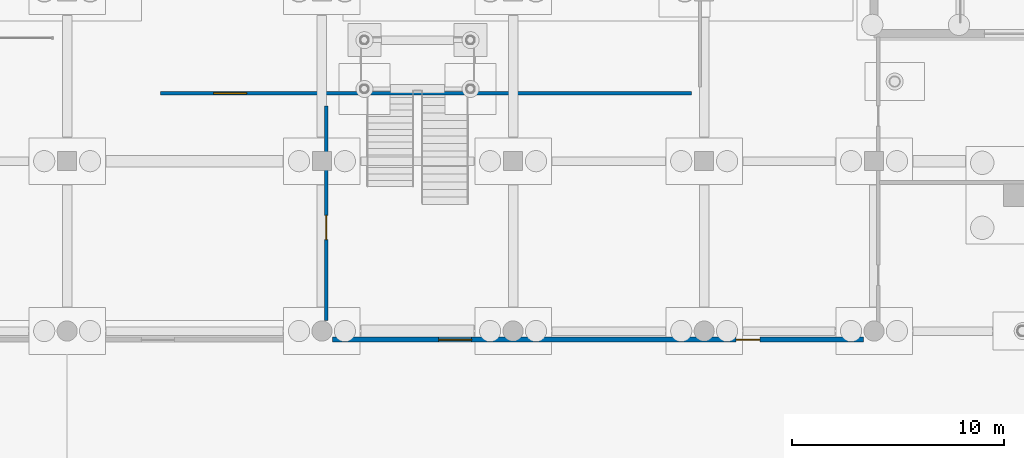
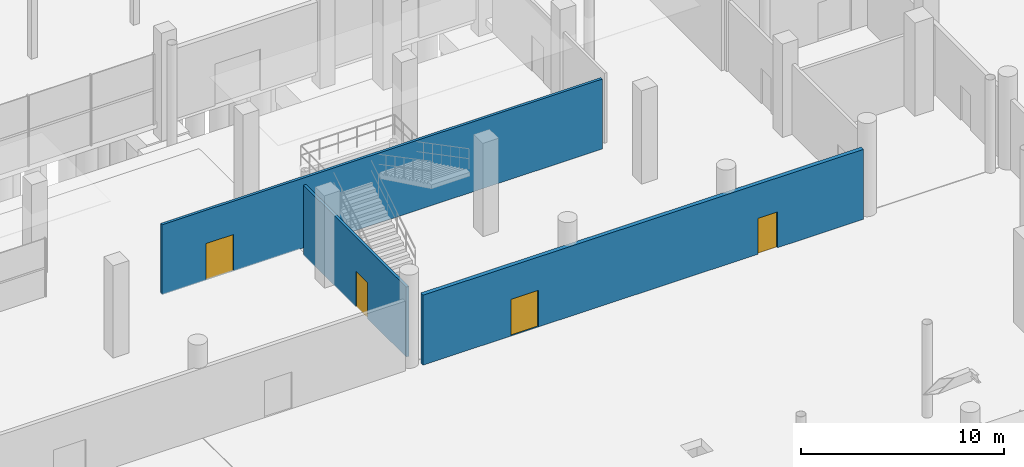
# One storey, part 74 of 98: 4 doors, 3 walls, 4 openings.
"""IFC4 building model written with IfcOpenShell, lengths in metres."""

from ifc_helpers import new_model, si_unit, derived_unit, direction, frame, frame_2d, origin, place, context, subcontext, project, spatial, rectangle, extrude, material, layer, layer_set, type_object, element, fill, save


model = new_model("IFC4")

# Units and contexts
model_context = context("Model", 3, precision=1e-05, world=origin(), true_north=direction((0.0, 1.0)))
body_context = subcontext(model_context, "Body", "Model", "MODEL_VIEW")
ifc_project = project(units=[si_unit("LENGTHUNIT", "METRE"), si_unit("AREAUNIT", "SQUARE_METRE"), si_unit("VOLUMEUNIT", "CUBIC_METRE"), si_unit("PLANEANGLEUNIT", "RADIAN"), si_unit("MASSUNIT", "GRAM", prefix="KILO"), si_unit("THERMODYNAMICTEMPERATUREUNIT", "KELVIN"), derived_unit("THERMALTRANSMITTANCEUNIT", [(si_unit("POWERUNIT", "WATT"), 1), (si_unit("AREAUNIT", "SQUARE_METRE"), -1), (si_unit("THERMODYNAMICTEMPERATUREUNIT", "KELVIN"), -1)])], contexts=[model_context])

# Site, building, storey
site_placement = place(None, origin())
site = spatial("IfcSite", under=ifc_project, at=site_placement, CompositionType="ELEMENT")
building_placement = place(site_placement, origin())
building = spatial("IfcBuilding", under=site, at=building_placement, Name="Haiyu Intermodal Mobility Hub", CompositionType="ELEMENT")
storey_placement = place(building_placement, origin())
storey = spatial("IfcBuildingStorey", under=building, at=storey_placement, Name="L00", CompositionType="ELEMENT", Elevation=0.0)

# Wall, openings, doors
ifc_material_1 = material(Name="Autoclaved aerated concrete block A5.0", Category="concrete")
ifc_layer_1 = layer(ifc_material_1, 0.22998046875)
ifc_layer_set_1 = layer_set([ifc_layer_1], Name="Autoclaved aerated concrete block A5.0")
wall_type_1 = type_object("IfcWallType", Name="WAL-WI01", PredefinedType="PARTITIONING", material=ifc_layer_set_1)
wall_1_placement = place(storey_placement, frame((120.5, 63.60009765625, 0.0), z_axis=(0.0, 0.0, 1.0), x_axis=(1.0, 0.0, 0.0)))
wall_1 = element("IfcWall", 1, at=wall_1_placement, inside=storey, type_object=wall_type_1, Name="WAL-INT-0002", PredefinedType="PARTITIONING", context=body_context, shape_type="SweptSolid", body=[
    extrude(rectangle(XDim=25.0, YDim=0.22998046875, at=frame_2d((12.5, 0.0))), origin(), (0.0, 0.0, 1.0), 4.199951171875),
])
opening_1_placement = place(wall_1_placement, frame((5.0, 0.0, 0.0)))
opening_1 = element("IfcOpeningElement", 2, at=opening_1_placement, cuts=wall_1, Name="Opening DI04", PredefinedType="OPENING", context=body_context, shape_type="SweptSolid", body=[
    extrude(rectangle(XDim=1.550048828125, YDim=2.199951171875, at=frame_2d((0.77490234375, 1.10009765625))), frame((0.0, 0.125, 0.0), z_axis=(0.0, -1.0, 0.0), x_axis=(1.0, 0.0, 0.0)), (0.0, 0.0, 1.0), 0.25),
])
opening_2_placement = place(wall_1_placement, frame((19.0, 0.0, 0.0)))
opening_2 = element("IfcOpeningElement", 3, at=opening_2_placement, cuts=wall_1, Name="Opening DI16", PredefinedType="OPENING", context=body_context, shape_type="SweptSolid", body=[
    extrude(rectangle(XDim=1.1201171875, YDim=2.14990234375, at=frame_2d((0.56005859375, 1.074951171875))), frame((0.0, 0.125, 0.0), z_axis=(0.0, -1.0, 0.0), x_axis=(1.0, 0.0, 0.0)), (0.0, 0.0, 1.0), 0.25),
])
ifc_material_2 = material(Name="Steel Q355C", Category="steel")
door_type_1 = type_object("IfcDoorType", Name="DR-DI04", OperationType="DOUBLE_DOOR_SINGLE_SWING", PredefinedType="DOOR", material=ifc_material_2)
door_1_placement = place(opening_1_placement, origin())
door_1 = element("IfcDoor", 4, at=door_1_placement, inside=storey, type_object=door_type_1, Name="Taxi Deck Concourse Door 1", OperationType="DOUBLE_SWING_LEFT", OverallHeight=2.199951171875, OverallWidth=1.550048828125, PredefinedType="DOOR", context=body_context, shape_type="SweptSolid", body=[
    extrude(rectangle(XDim=1.550048828125, YDim=2.199951171875, at=frame_2d((0.77490234375, 1.10009765625))), frame((0.0, 0.02490234375, 0.0), z_axis=(0.0, -1.0, 0.0), x_axis=(1.0, 0.0, 0.0)), (0.0, 0.0, 1.0), 0.050048828125),
])
fill(opening_1, door_1)
ifc_material_3 = material(Name="Anodised aluminium 6063-T6", Category="aluminium")
door_type_2 = type_object("IfcDoorType", Name="DR-DI16", OperationType="NOTDEFINED", PredefinedType="DOOR", material=ifc_material_3)
door_2_placement = place(opening_2_placement, origin())
door_2 = element("IfcDoor", 5, at=door_2_placement, inside=storey, type_object=door_type_2, Name="Taxi Deck Concourse Door 2", OperationType="DOUBLE_SWING_RIGHT", OverallHeight=2.14990234375, OverallWidth=1.1201171875, PredefinedType="DOOR", context=body_context, shape_type="SweptSolid", body=[
    extrude(rectangle(XDim=1.1201171875, YDim=2.14990234375, at=frame_2d((0.56005859375, 1.074951171875))), frame((0.0, 0.02490234375, 0.0), z_axis=(0.0, -1.0, 0.0), x_axis=(1.0, 0.0, 0.0)), (0.0, 0.0, 1.0), 0.050048828125),
])
fill(opening_2, door_2)

# Wall, opening, door
ifc_material_4 = material(Name="Fire-rated gypsum and rockwool partition", Category="gypsum")
ifc_layer_2 = layer(ifc_material_4, 0.14990234375)
ifc_layer_set_2 = layer_set([ifc_layer_2], Name="Fire-rated gypsum and rockwool partition")
wall_type_2 = type_object("IfcWallType", Name="WAL-WI04", PredefinedType="PARTITIONING", material=ifc_layer_set_2)
wall_2_placement = place(storey_placement, frame((120.199951171875, 64.5, 0.0), z_axis=(0.0, 0.0, 1.0), x_axis=(0.0, 1.0, 0.0)))
wall_2 = element("IfcWall", 6, at=wall_2_placement, inside=storey, type_object=wall_type_2, Name="WAL-INT-0004", PredefinedType="PARTITIONING", context=body_context, shape_type="SweptSolid", body=[
    extrude(rectangle(XDim=10.10009765625, YDim=0.14990234375, at=frame_2d((5.050048828125, 0.0))), origin(), (0.0, 0.0, 1.0), 4.199951171875),
])
opening_3_placement = place(wall_2_placement, frame((3.800048828125, 0.0, 0.0)))
opening_3 = element("IfcOpeningElement", 7, at=opening_3_placement, cuts=wall_2, Name="Opening DI05", PredefinedType="OPENING", context=body_context, shape_type="SweptSolid", body=[
    extrude(rectangle(XDim=1.14990234375, YDim=2.14990234375, at=frame_2d((0.574951171875, 1.074951171875))), frame((0.0, 0.0849609375, 0.0), z_axis=(0.0, -1.0, 0.0), x_axis=(1.0, 0.0, 0.0)), (0.0, 0.0, 1.0), 0.169921875),
])
door_type_3 = type_object("IfcDoorType", Name="DR-DI05", OperationType="NOTDEFINED", PredefinedType="DOOR", material=ifc_material_2)
door_3_placement = place(opening_3_placement, origin())
door_3 = element("IfcDoor", 8, at=door_3_placement, inside=storey, type_object=door_type_3, Name="Ticketing Office Door", OperationType="SINGLE_SWING_RIGHT", OverallHeight=2.14990234375, OverallWidth=1.14990234375, PredefinedType="DOOR", context=body_context, shape_type="SweptSolid", body=[
    extrude(rectangle(XDim=1.14990234375, YDim=2.14990234375, at=frame_2d((0.574951171875, 1.074951171875))), frame((0.0, 0.02490234375, 0.0), z_axis=(0.0, -1.0, 0.0), x_axis=(1.0, 0.0, 0.0)), (0.0, 0.0, 1.0), 0.050048828125),
])
fill(opening_3, door_3)

wall_3_placement = place(storey_placement, frame((112.39990234375, 75.199951171875, 0.0), z_axis=(0.0, 0.0, 1.0), x_axis=(1.0, 0.0, 0.0)))
wall_3 = element("IfcWall", 9, at=wall_3_placement, inside=storey, type_object=wall_type_2, Name="WAL-INT-0005", PredefinedType="PARTITIONING", context=body_context, shape_type="SweptSolid", body=[
    extrude(rectangle(XDim=25.0, YDim=0.14990234375, at=frame_2d((12.5, 0.0))), origin(), (0.0, 0.0, 1.0), 4.199951171875),
])
opening_4_placement = place(wall_3_placement, frame((2.5, 0.0, 0.0)))
opening_4 = element("IfcOpeningElement", 10, at=opening_4_placement, cuts=wall_3, Name="Opening DI04", PredefinedType="OPENING", context=body_context, shape_type="SweptSolid", body=[
    extrude(rectangle(XDim=1.550048828125, YDim=2.199951171875, at=frame_2d((0.77490234375, 1.10009765625))), frame((0.0, 0.0849609375, 0.0), z_axis=(0.0, -1.0, 0.0), x_axis=(1.0, 0.0, 0.0)), (0.0, 0.0, 1.0), 0.169921875),
])
door_4_placement = place(opening_4_placement, origin())
door_4 = element("IfcDoor", 11, at=door_4_placement, inside=storey, type_object=door_type_1, Name="Transit Cafe Entrance", OperationType="DOUBLE_SWING_LEFT", OverallHeight=2.199951171875, OverallWidth=1.550048828125, PredefinedType="DOOR", context=body_context, shape_type="SweptSolid", body=[
    extrude(rectangle(XDim=1.550048828125, YDim=2.199951171875, at=frame_2d((0.77490234375, 1.10009765625))), frame((0.0, 0.02490234375, 0.0), z_axis=(0.0, -1.0, 0.0), x_axis=(1.0, 0.0, 0.0)), (0.0, 0.0, 1.0), 0.050048828125),
])
fill(opening_4, door_4)

save(model, "model.ifc")
